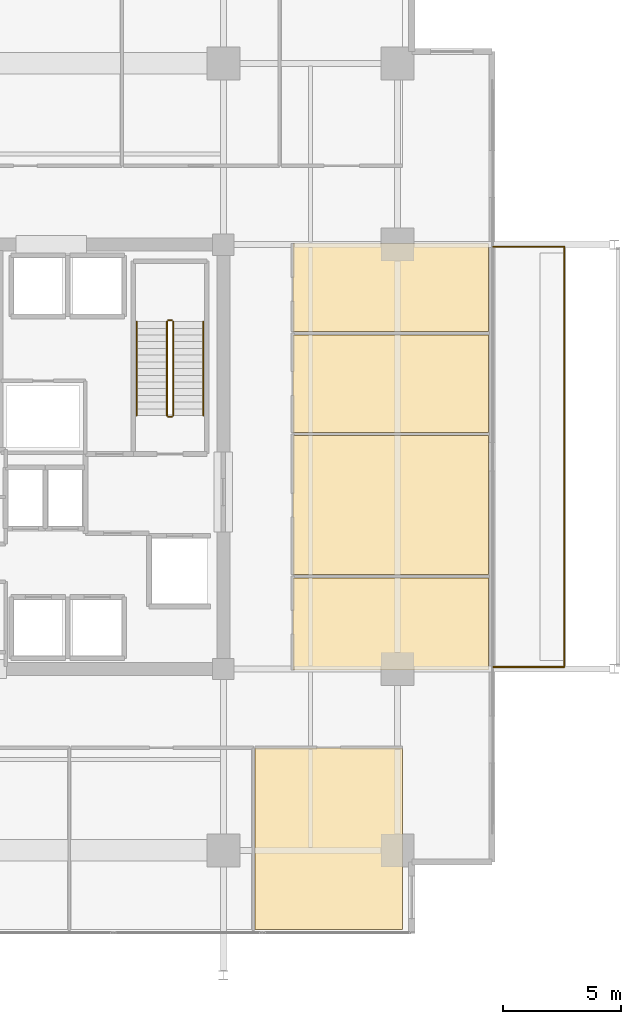
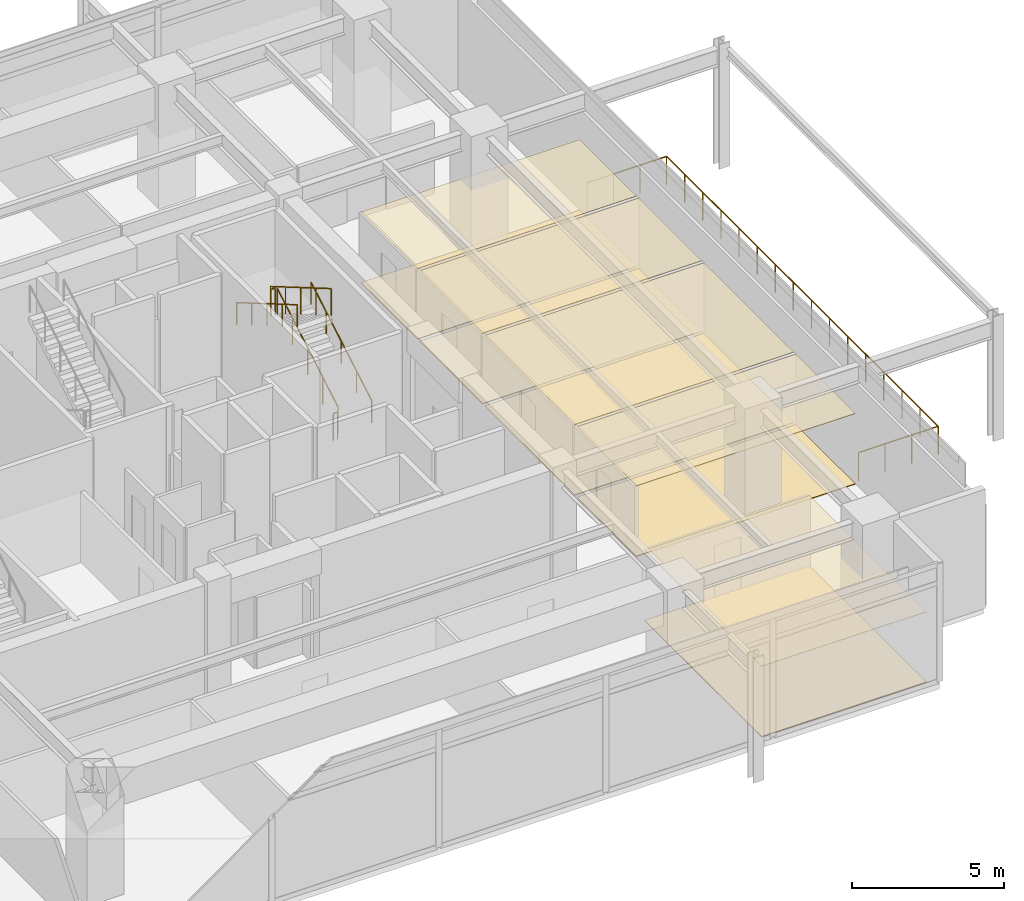
# One storey, part 18 of 19: 10 coverings, 7 railings.
"""IFC4 building model written with IfcOpenShell, lengths in metres."""

from ifc_helpers import new_model, si_unit, direction, frame, origin, origin_2d, place, context, subcontext, project, spatial, polyline, circle, outline, extrude, material, layer, layer_set, type_object, element, save


model = new_model("IFC4")

# Units and contexts
model_context = context("Model", 3, precision=1e-05, world=origin(), true_north=direction((0.0, 1.0)))
body_context = subcontext(model_context, "Body", "Model", "MODEL_VIEW")
ifc_project = project(units=[si_unit("LENGTHUNIT", "METRE"), si_unit("AREAUNIT", "SQUARE_METRE"), si_unit("VOLUMEUNIT", "CUBIC_METRE"), si_unit("PLANEANGLEUNIT", "RADIAN"), si_unit("MASSUNIT", "GRAM", prefix="KILO")], contexts=[model_context])

# Site, building, storey
site_placement = place(None, origin())
site = spatial("IfcSite", under=ifc_project, at=site_placement, CompositionType="ELEMENT")
building_placement = place(site_placement, origin())
building = spatial("IfcBuilding", under=site, at=building_placement, Name="Kovane Verandah Tower", CompositionType="ELEMENT")
storey_placement = place(building_placement, frame((0.0, 0.0, 200.199951171875)))
storey = spatial("IfcBuildingStorey", under=building, at=storey_placement, Name="L46", CompositionType="ELEMENT", Elevation=200.199951171875)

# Coverings
ifc_material_1 = material(Name="Perforated Acoustic Mineral-Fibre Ceiling Tile", Category="gypsum")
ifc_layer_1 = layer(ifc_material_1, 0.02490234375)
ifc_layer_set_1 = layer_set([ifc_layer_1], Name="Perforated Acoustic Mineral-Fibre Ceiling Tile")
covering_type_1 = type_object("IfcCoveringType", Name="CV-CEIL-25", PredefinedType="CEILING", material=ifc_layer_set_1)
covering_1_placement = place(storey_placement, frame((0.0, 0.0, 2.824951171875)))
element("IfcCovering", 1, at=covering_1_placement, inside=storey, type_object=covering_type_1, Name="L46 Document and Print Room S5 Acoustic Ceiling", PredefinedType="CEILING", context=body_context, shape_type="SweptSolid", body=[
    extrude(outline(polyline([(52.345947265625, 7.449951171875), (58.60009765625, 7.449951171875), (58.60009765625, 15.14990234375), (52.345947265625, 15.14990234375), (52.345947265625, 7.449951171875)])), origin(), (0.0, 0.0, 1.0), 0.025146484375),
])
covering_2_placement = place(storey_placement, frame((0.0, 0.0, 2.824951171875)))
element("IfcCovering", 2, at=covering_2_placement, inside=storey, type_object=covering_type_1, Name="L46 Meeting Room E1 Acoustic Ceiling", PredefinedType="CEILING", context=body_context, shape_type="SweptSolid", body=[
    extrude(outline(polyline([(53.949951171875, 18.449951171875), (62.25, 18.449951171875), (62.25, 22.362060546875), (53.949951171875, 22.362060546875), (53.949951171875, 18.449951171875)])), origin(), (0.0, 0.0, 1.0), 0.025146484375),
])
covering_3_placement = place(storey_placement, frame((0.0, 0.0, 2.824951171875)))
element("IfcCovering", 3, at=covering_3_placement, inside=storey, type_object=covering_type_1, Name="L46 Focus Studio E2 Acoustic Ceiling", PredefinedType="CEILING", context=body_context, shape_type="SweptSolid", body=[
    extrude(outline(polyline([(53.949951171875, 22.501953125), (62.25, 22.501953125), (62.25, 28.39990234375), (53.949951171875, 28.39990234375), (53.949951171875, 22.501953125)])), origin(), (0.0, 0.0, 1.0), 0.025146484375),
])
covering_4_placement = place(storey_placement, frame((0.0, 0.0, 2.824951171875)))
element("IfcCovering", 4, at=covering_4_placement, inside=storey, type_object=covering_type_1, Name="L46 Breakout Pantry E3 Acoustic Ceiling", PredefinedType="CEILING", context=body_context, shape_type="SweptSolid", body=[
    extrude(outline(polyline([(53.949951171875, 28.5400390625), (62.25, 28.5400390625), (62.25, 32.678955078125), (53.949951171875, 32.678955078125), (53.949951171875, 28.5400390625)])), origin(), (0.0, 0.0, 1.0), 0.025146484375),
])
covering_5_placement = place(storey_placement, frame((0.0, 0.0, 2.824951171875)))
element("IfcCovering", 5, at=covering_5_placement, inside=storey, type_object=covering_type_1, Name="L46 Collaboration Hub E4 Acoustic Ceiling", PredefinedType="CEILING", context=body_context, shape_type="SweptSolid", body=[
    extrude(outline(polyline([(53.949951171875, 32.819091796875), (62.25, 32.819091796875), (62.25, 36.550048828125), (53.949951171875, 36.550048828125), (53.949951171875, 32.819091796875)])), origin(), (0.0, 0.0, 1.0), 0.025146484375),
])
ifc_material_2 = material(Name="Polished Terrazzo and Raised-Access Carpet Tile Finish", Category="concrete")
ifc_layer_2 = layer(ifc_material_2, 0.030029296875)
ifc_layer_set_2 = layer_set([ifc_layer_2], Name="Polished Terrazzo and Raised-Access Carpet Tile Finish")
covering_type_2 = type_object("IfcCoveringType", Name="CV-FLOR-30", PredefinedType="FLOORING", material=ifc_layer_set_2)
covering_6_placement = place(storey_placement, origin())
element("IfcCovering", 6, at=covering_6_placement, inside=storey, type_object=covering_type_2, Name="L46 Document and Print Room S5 Floor Finish", PredefinedType="FLOORING", context=body_context, shape_type="SweptSolid", body=[
    extrude(outline(polyline([(52.345947265625, 7.449951171875), (58.60009765625, 7.449951171875), (58.60009765625, 15.14990234375), (52.345947265625, 15.14990234375), (52.345947265625, 7.449951171875)])), origin(), (0.0, 0.0, 1.0), 0.030029296875),
])
covering_7_placement = place(storey_placement, origin())
element("IfcCovering", 7, at=covering_7_placement, inside=storey, type_object=covering_type_2, Name="L46 Meeting Room E1 Floor Finish", PredefinedType="FLOORING", context=body_context, shape_type="SweptSolid", body=[
    extrude(outline(polyline([(53.949951171875, 18.449951171875), (62.25, 18.449951171875), (62.25, 22.362060546875), (53.949951171875, 22.362060546875), (53.949951171875, 18.449951171875)])), origin(), (0.0, 0.0, 1.0), 0.030029296875),
])
covering_8_placement = place(storey_placement, origin())
element("IfcCovering", 8, at=covering_8_placement, inside=storey, type_object=covering_type_2, Name="L46 Focus Studio E2 Floor Finish", PredefinedType="FLOORING", context=body_context, shape_type="SweptSolid", body=[
    extrude(outline(polyline([(53.949951171875, 22.501953125), (62.25, 22.501953125), (62.25, 28.39990234375), (53.949951171875, 28.39990234375), (53.949951171875, 22.501953125)])), origin(), (0.0, 0.0, 1.0), 0.030029296875),
])
covering_9_placement = place(storey_placement, origin())
element("IfcCovering", 9, at=covering_9_placement, inside=storey, type_object=covering_type_2, Name="L46 Breakout Pantry E3 Floor Finish", PredefinedType="FLOORING", context=body_context, shape_type="SweptSolid", body=[
    extrude(outline(polyline([(53.949951171875, 28.5400390625), (62.25, 28.5400390625), (62.25, 32.678955078125), (53.949951171875, 32.678955078125), (53.949951171875, 28.5400390625)])), origin(), (0.0, 0.0, 1.0), 0.030029296875),
])
covering_10_placement = place(storey_placement, origin())
element("IfcCovering", 10, at=covering_10_placement, inside=storey, type_object=covering_type_2, Name="L46 Collaboration Hub E4 Floor Finish", PredefinedType="FLOORING", context=body_context, shape_type="SweptSolid", body=[
    extrude(outline(polyline([(53.949951171875, 32.819091796875), (62.25, 32.819091796875), (62.25, 36.550048828125), (53.949951171875, 36.550048828125), (53.949951171875, 32.819091796875)])), origin(), (0.0, 0.0, 1.0), 0.030029296875),
])

# Railings
ifc_material_3 = material(Name="Laminated Glass and Pale-Champagne Stainless Balustrade", Category="glass")
railing_type_1 = type_object("IfcRailingType", Name="RL-BAL-1150", PredefinedType="BALUSTRADE", material=ifc_material_3)
railing_1_placement = place(storey_placement, frame((62.449951171875, 18.580078125, 0.0)))
element("IfcRailing", 11, at=railing_1_placement, inside=storey, type_object=railing_type_1, Name="L46 E Verandah Glass Balustrade", PredefinedType="BALUSTRADE", context=body_context, shape_type="SweptSolid", body=[
    extrude(circle(Radius=0.02392578125, at=origin_2d()), frame((0.0, 0.0, 1.1259765625), z_axis=(1.0, 0.0, 0.0), x_axis=(0.0, 1.0, 0.0)), (0.0, 0.0, 1.0), 3.02001953125),
    extrude(circle(Radius=0.02392578125, at=origin_2d()), frame((3.02001953125, 0.0, 1.1259765625), z_axis=(0.0, 1.0, 0.0), x_axis=(-1.0, 0.0, 0.0)), (0.0, 0.0, 1.0), 17.83984375),
    extrude(circle(Radius=0.02392578125, at=origin_2d()), frame((3.02001953125, 17.83984375, 1.1259765625), z_axis=(-1.0, 0.0, 0.0), x_axis=(0.0, -1.0, 0.0)), (0.0, 0.0, 1.0), 3.02001953125),
    extrude(circle(Radius=0.02099609375, at=origin_2d()), origin(), (0.0, 0.0, 1.0), 1.101806640625),
    extrude(circle(Radius=0.02099609375, at=origin_2d()), frame((1.006591796875, 0.0, 0.0)), (0.0, 0.0, 1.0), 1.101806640625),
    extrude(circle(Radius=0.02099609375, at=origin_2d()), frame((2.013427734375, 0.0, 0.0)), (0.0, 0.0, 1.0), 1.101806640625),
    extrude(circle(Radius=0.02099609375, at=origin_2d()), frame((3.02001953125, 0.0, 0.0)), (0.0, 0.0, 1.0), 1.101806640625),
    extrude(circle(Radius=0.02099609375, at=origin_2d()), frame((3.02001953125, 1.189208984375, 0.0)), (0.0, 0.0, 1.0), 1.101806640625),
    extrude(circle(Radius=0.02099609375, at=origin_2d()), frame((3.02001953125, 2.378662109375, 0.0)), (0.0, 0.0, 1.0), 1.101806640625),
    extrude(circle(Radius=0.02099609375, at=origin_2d()), frame((3.02001953125, 3.56787109375, 0.0)), (0.0, 0.0, 1.0), 1.101806640625),
    extrude(circle(Radius=0.02099609375, at=origin_2d()), frame((3.02001953125, 4.75732421875, 0.0)), (0.0, 0.0, 1.0), 1.101806640625),
    extrude(circle(Radius=0.02099609375, at=origin_2d()), frame((3.02001953125, 5.946533203125, 0.0)), (0.0, 0.0, 1.0), 1.101806640625),
    extrude(circle(Radius=0.02099609375, at=origin_2d()), frame((3.02001953125, 7.135986328125, 0.0)), (0.0, 0.0, 1.0), 1.101806640625),
    extrude(circle(Radius=0.02099609375, at=origin_2d()), frame((3.02001953125, 8.3251953125, 0.0)), (0.0, 0.0, 1.0), 1.101806640625),
    extrude(circle(Radius=0.02099609375, at=origin_2d()), frame((3.02001953125, 9.5146484375, 0.0)), (0.0, 0.0, 1.0), 1.101806640625),
    extrude(circle(Radius=0.02099609375, at=origin_2d()), frame((3.02001953125, 10.703857421875, 0.0)), (0.0, 0.0, 1.0), 1.101806640625),
    extrude(circle(Radius=0.02099609375, at=origin_2d()), frame((3.02001953125, 11.893310546875, 0.0)), (0.0, 0.0, 1.0), 1.101806640625),
    extrude(circle(Radius=0.02099609375, at=origin_2d()), frame((3.02001953125, 13.08251953125, 0.0)), (0.0, 0.0, 1.0), 1.101806640625),
    extrude(circle(Radius=0.02099609375, at=origin_2d()), frame((3.02001953125, 14.27197265625, 0.0)), (0.0, 0.0, 1.0), 1.101806640625),
    extrude(circle(Radius=0.02099609375, at=origin_2d()), frame((3.02001953125, 15.461181640625, 0.0)), (0.0, 0.0, 1.0), 1.101806640625),
    extrude(circle(Radius=0.02099609375, at=origin_2d()), frame((3.02001953125, 16.650634765625, 0.0)), (0.0, 0.0, 1.0), 1.101806640625),
    extrude(circle(Radius=0.02099609375, at=origin_2d()), frame((3.02001953125, 17.83984375, 0.0)), (0.0, 0.0, 1.0), 1.101806640625),
    extrude(circle(Radius=0.02099609375, at=origin_2d()), frame((2.013427734375, 17.83984375, 0.0)), (0.0, 0.0, 1.0), 1.101806640625),
    extrude(circle(Radius=0.02099609375, at=origin_2d()), frame((1.006591796875, 17.83984375, 0.0)), (0.0, 0.0, 1.0), 1.101806640625),
    extrude(circle(Radius=0.02099609375, at=origin_2d()), frame((0.0, 17.83984375, 0.0)), (0.0, 0.0, 1.0), 1.101806640625),
])
ifc_material_4 = material(Name="Brushed Stainless Steel Handrail", Category="steel")
railing_type_2 = type_object("IfcRailingType", Name="RL-HAND-920", PredefinedType="HANDRAIL", material=ifc_material_4)
railing_2_placement = place(storey_placement, frame((50.14990234375, 29.25, 0.166748046875)))
element("IfcRailing", 12, at=railing_2_placement, inside=storey, type_object=railing_type_2, Name="L46 ST-02 stair handrail 1", PredefinedType="HANDRAIL", context=body_context, shape_type="SweptSolid", body=[
    extrude(circle(Radius=0.02392578125, at=origin_2d()), frame((0.0, 0.0, 0.8759765625), z_axis=(0.0, 0.863236243904, 0.504800145811), x_axis=(-1.0, 0.0, 0.0)), (0.0, 0.0, 1.0), 4.6220703125),
    extrude(circle(Radius=0.02099609375, at=origin_2d()), origin(), (0.0, 0.0, 1.0), 0.851806640625),
    extrude(circle(Radius=0.02099609375, at=origin_2d()), frame((0.0, 0.99755859375, 0.583251953125)), (0.0, 0.0, 1.0), 0.851806640625),
    extrude(circle(Radius=0.02099609375, at=origin_2d()), frame((0.0, 1.9951171875, 1.16650390625)), (0.0, 0.0, 1.0), 0.851806640625),
    extrude(circle(Radius=0.02099609375, at=origin_2d()), frame((0.0, 2.992431640625, 1.75)), (0.0, 0.0, 1.0), 0.851806640625),
    extrude(circle(Radius=0.02099609375, at=origin_2d()), frame((0.0, 3.989990234375, 2.333251953125)), (0.0, 0.0, 1.0), 0.851806640625),
])
railing_3_placement = place(storey_placement, frame((47.330078125, 33.239990234375, 2.666748046875)))
element("IfcRailing", 13, at=railing_3_placement, inside=storey, type_object=railing_type_2, Name="L46 ST-02 stair handrail 2", PredefinedType="HANDRAIL", context=body_context, shape_type="SweptSolid", body=[
    extrude(circle(Radius=0.02392578125, at=origin_2d()), frame((0.0, 0.0, 0.8759765625), z_axis=(0.0, -0.863236243904, 0.504800145811), x_axis=(1.0, 0.0, 0.0)), (0.0, 0.0, 1.0), 4.6220703125),
    extrude(circle(Radius=0.02099609375, at=origin_2d()), origin(), (0.0, 0.0, 1.0), 0.851806640625),
    extrude(circle(Radius=0.02099609375, at=origin_2d()), frame((0.0, -0.99755859375, 0.583251953125)), (0.0, 0.0, 1.0), 0.851806640625),
    extrude(circle(Radius=0.02099609375, at=origin_2d()), frame((0.0, -1.9951171875, 1.16650390625)), (0.0, 0.0, 1.0), 0.851806640625),
    extrude(circle(Radius=0.02099609375, at=origin_2d()), frame((0.0, -2.992431640625, 1.75)), (0.0, 0.0, 1.0), 0.851806640625),
    extrude(circle(Radius=0.02099609375, at=origin_2d()), frame((0.0, -3.989990234375, 2.333251953125)), (0.0, 0.0, 1.0), 0.851806640625),
])
ifc_material_5 = material(Name="Painted Steel Stairwell Guardrail", Category="steel")
railing_type_3 = type_object("IfcRailingType", Name="RL-STGUARD-1120", PredefinedType="GUARDRAIL", material=ifc_material_5)
railing_4_placement = place(storey_placement, frame((48.8701171875, 29.25, 0.166748046875)))
element("IfcRailing", 14, at=railing_4_placement, inside=storey, type_object=railing_type_3, Name="L46 ST-02 stair guard 1", PredefinedType="GUARDRAIL", context=body_context, shape_type="SweptSolid", body=[
    extrude(circle(Radius=0.02392578125, at=origin_2d()), frame((0.0, 0.0, 1.076171875), z_axis=(0.0, 0.863236243904, 0.504800145811), x_axis=(-1.0, 0.0, 0.0)), (0.0, 0.0, 1.0), 4.6220703125),
    extrude(circle(Radius=0.02099609375, at=origin_2d()), origin(), (0.0, 0.0, 1.0), 1.052001953125),
    extrude(circle(Radius=0.02099609375, at=origin_2d()), frame((0.0, 0.99755859375, 0.583251953125)), (0.0, 0.0, 1.0), 1.052001953125),
    extrude(circle(Radius=0.02099609375, at=origin_2d()), frame((0.0, 1.9951171875, 1.16650390625)), (0.0, 0.0, 1.0), 1.052001953125),
    extrude(circle(Radius=0.02099609375, at=origin_2d()), frame((0.0, 2.992431640625, 1.75)), (0.0, 0.0, 1.0), 1.052001953125),
    extrude(circle(Radius=0.02099609375, at=origin_2d()), frame((0.0, 3.989990234375, 2.333251953125)), (0.0, 0.0, 1.0), 1.052001953125),
])
railing_5_placement = place(storey_placement, frame((48.820068359375, 33.2900390625, 2.5)))
element("IfcRailing", 15, at=railing_5_placement, inside=storey, type_object=railing_type_3, Name="L46 ST-02 stair guard 2", PredefinedType="GUARDRAIL", context=body_context, shape_type="SweptSolid", body=[
    extrude(circle(Radius=0.02392578125, at=origin_2d()), frame((0.0, 0.0, 1.076171875), z_axis=(-1.0, 0.0, 0.0), x_axis=(0.0, -1.0, 0.0)), (0.0, 0.0, 1.0), 0.16015625),
    extrude(circle(Radius=0.02099609375, at=origin_2d()), origin(), (0.0, 0.0, 1.0), 1.052001953125),
    extrude(circle(Radius=0.02099609375, at=origin_2d()), frame((-0.16015625, 0.0, 0.0)), (0.0, 0.0, 1.0), 1.052001953125),
])
railing_6_placement = place(storey_placement, frame((48.610107421875, 33.239990234375, 2.666748046875)))
element("IfcRailing", 16, at=railing_6_placement, inside=storey, type_object=railing_type_3, Name="L46 ST-02 stair guard 3", PredefinedType="GUARDRAIL", context=body_context, shape_type="SweptSolid", body=[
    extrude(circle(Radius=0.02392578125, at=origin_2d()), frame((0.0, 0.0, 1.076171875), z_axis=(0.0, -0.863236243904, 0.504800145811), x_axis=(1.0, 0.0, 0.0)), (0.0, 0.0, 1.0), 4.6220703125),
    extrude(circle(Radius=0.02099609375, at=origin_2d()), origin(), (0.0, 0.0, 1.0), 1.052001953125),
    extrude(circle(Radius=0.02099609375, at=origin_2d()), frame((0.0, -0.99755859375, 0.583251953125)), (0.0, 0.0, 1.0), 1.052001953125),
    extrude(circle(Radius=0.02099609375, at=origin_2d()), frame((0.0, -1.9951171875, 1.16650390625)), (0.0, 0.0, 1.0), 1.052001953125),
    extrude(circle(Radius=0.02099609375, at=origin_2d()), frame((0.0, -2.992431640625, 1.75)), (0.0, 0.0, 1.0), 1.052001953125),
    extrude(circle(Radius=0.02099609375, at=origin_2d()), frame((0.0, -3.989990234375, 2.333251953125)), (0.0, 0.0, 1.0), 1.052001953125),
])
railing_7_placement = place(storey_placement, frame((48.820068359375, 29.199951171875, 0.0)))
element("IfcRailing", 17, at=railing_7_placement, inside=storey, type_object=railing_type_3, Name="L46 ST-02 stair guard 4", PredefinedType="GUARDRAIL", context=body_context, shape_type="SweptSolid", body=[
    extrude(circle(Radius=0.02392578125, at=origin_2d()), frame((0.0, 0.0, 1.076171875), z_axis=(-1.0, 0.0, 0.0), x_axis=(0.0, -1.0, 0.0)), (0.0, 0.0, 1.0), 0.16015625),
    extrude(circle(Radius=0.02099609375, at=origin_2d()), origin(), (0.0, 0.0, 1.0), 1.052001953125),
    extrude(circle(Radius=0.02099609375, at=origin_2d()), frame((-0.16015625, 0.0, 0.0)), (0.0, 0.0, 1.0), 1.052001953125),
])

save(model, "model.ifc")
